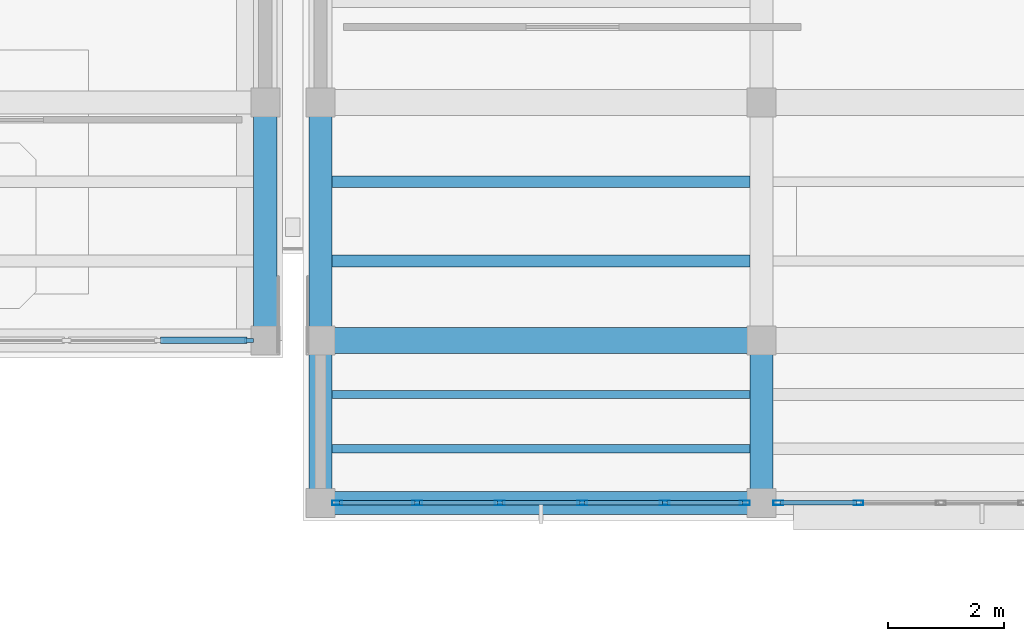
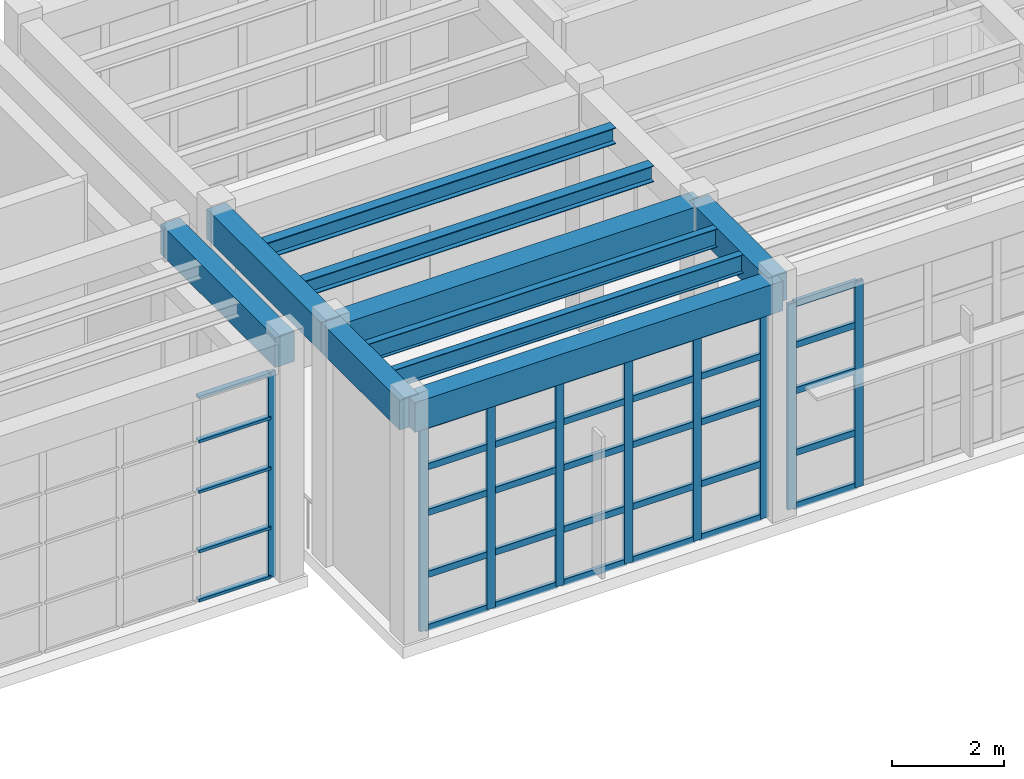
# One storey, part 21 of 103: 44 members, 10 beams, 3 elements without a shape of their own.
"""IFC4 building model written with IfcOpenShell, lengths in metres."""

from ifc_helpers import new_model, si_unit, direction, frame, origin, origin_2d, place, context, subcontext, project, spatial, rectangle, hollow_rectangle, i_section, extrude, material, layer, layer_set, material_profile, profile_set, type_object, element, aggregate, save


model = new_model("IFC4")

# Units and contexts
model_context = context("Model", 3, precision=1e-05, world=origin(), true_north=direction((0.0, 1.0)))
body_context = subcontext(model_context, "Body", "Model", "MODEL_VIEW")
ifc_project = project(units=[si_unit("LENGTHUNIT", "METRE"), si_unit("AREAUNIT", "SQUARE_METRE"), si_unit("VOLUMEUNIT", "CUBIC_METRE"), si_unit("PLANEANGLEUNIT", "RADIAN"), si_unit("MASSUNIT", "GRAM", prefix="KILO")], contexts=[model_context])

# Site, building, storey
site_placement = place(None, origin())
site = spatial("IfcSite", under=ifc_project, at=site_placement, CompositionType="ELEMENT")
building_placement = place(site_placement, origin())
building = spatial("IfcBuilding", under=site, at=building_placement, Name="Candilejo Ridge Gondola Terminal", CompositionType="ELEMENT")
storey_placement = place(building_placement, frame((0.0, 0.0, 9.0)))
storey = spatial("IfcBuildingStorey", under=building, at=storey_placement, Name="L02", CompositionType="ELEMENT", Elevation=9.0)

# Curtain wall, members
ifc_material_1 = material(Name="Anodised aluminium AA 6063-T6", Category="aluminium")
ifc_layer_1 = layer(ifc_material_1, 0.169921875)
ifc_layer_set_1 = layer_set([ifc_layer_1], Name="ARC-CW-CONCOURSE-3600-710X449")
curtain_wall_type_1 = type_object("IfcCurtainWallType", Name="ARC-CW-CONCOURSE-3600-710X449", PredefinedType="NOTDEFINED", material=ifc_layer_set_1)
curtain_wall_1_placement = place(storey_placement, origin())
curtain_wall_1 = element("IfcCurtainWall", 1, at=curtain_wall_1_placement, inside=storey, type_object=curtain_wall_type_1, Name="Curtain wall V3 L02-083", PredefinedType="NOTDEFINED")
ifc_material_2 = material(Name="Anodised aluminium AA 6063-T6", Category="aluminium")
ifc_material_profile_1 = material_profile(ifc_material_2, hollow_rectangle(XDim=0.074951171875, YDim=0.169921875, WallThickness=0.00390625, at=origin_2d()))
ifc_profile_set_1 = profile_set([ifc_material_profile_1], Name="Anodised aluminium AA 6063-T6")
member_type_1 = type_object("IfcMemberType", Name="ARC-CW-MULLION", PredefinedType="MULLION", material=ifc_profile_set_1)
member_1_placement = place(storey_placement, frame((87.28759765625, 22.89990234375, 0.0), z_axis=(0.0, 0.0, 1.0), x_axis=(0.0, 1.0, 0.0)))
member_1 = element("IfcMember", 2, at=member_1_placement, type_object=member_type_1, Name="CW-71X44 mullion 1", PredefinedType="MULLION", context=body_context, shape_type="SweptSolid", body=[
    extrude(hollow_rectangle(XDim=0.074951171875, YDim=0.169921875, WallThickness=0.00390625, at=origin_2d()), origin(), (0.0, 0.0, 1.0), 4.489990234375),
])
member_2_placement = place(storey_placement, frame((88.669921875, 22.89990234375, 0.0), z_axis=(0.0, 0.0, 1.0), x_axis=(0.0, 1.0, 0.0)))
member_2 = element("IfcMember", 3, at=member_2_placement, type_object=member_type_1, Name="CW-71X44 mullion 2", PredefinedType="MULLION", context=body_context, shape_type="SweptSolid", body=[
    extrude(hollow_rectangle(XDim=0.074951171875, YDim=0.169921875, WallThickness=0.00390625, at=origin_2d()), origin(), (0.0, 0.0, 1.0), 4.489990234375),
])
member_3_placement = place(storey_placement, frame((90.090087890625, 22.89990234375, 0.0), z_axis=(0.0, 0.0, 1.0), x_axis=(0.0, 1.0, 0.0)))
member_3 = element("IfcMember", 4, at=member_3_placement, type_object=member_type_1, Name="CW-71X44 mullion 3", PredefinedType="MULLION", context=body_context, shape_type="SweptSolid", body=[
    extrude(hollow_rectangle(XDim=0.074951171875, YDim=0.169921875, WallThickness=0.00390625, at=origin_2d()), origin(), (0.0, 0.0, 1.0), 4.489990234375),
])
member_4_placement = place(storey_placement, frame((91.510009765625, 22.89990234375, 0.0), z_axis=(0.0, 0.0, 1.0), x_axis=(0.0, 1.0, 0.0)))
member_4 = element("IfcMember", 5, at=member_4_placement, type_object=member_type_1, Name="CW-71X44 mullion 4", PredefinedType="MULLION", context=body_context, shape_type="SweptSolid", body=[
    extrude(hollow_rectangle(XDim=0.074951171875, YDim=0.169921875, WallThickness=0.00390625, at=origin_2d()), origin(), (0.0, 0.0, 1.0), 4.489990234375),
])
member_5_placement = place(storey_placement, frame((92.929931640625, 22.89990234375, 0.0), z_axis=(0.0, 0.0, 1.0), x_axis=(0.0, 1.0, 0.0)))
member_5 = element("IfcMember", 6, at=member_5_placement, type_object=member_type_1, Name="CW-71X44 mullion 5", PredefinedType="MULLION", context=body_context, shape_type="SweptSolid", body=[
    extrude(hollow_rectangle(XDim=0.074951171875, YDim=0.169921875, WallThickness=0.00390625, at=origin_2d()), origin(), (0.0, 0.0, 1.0), 4.489990234375),
])
member_6_placement = place(storey_placement, frame((94.3125, 22.89990234375, 0.0), z_axis=(0.0, 0.0, 1.0), x_axis=(0.0, 1.0, 0.0)))
member_6 = element("IfcMember", 7, at=member_6_placement, type_object=member_type_1, Name="CW-71X44 mullion 6", PredefinedType="MULLION", context=body_context, shape_type="SweptSolid", body=[
    extrude(hollow_rectangle(XDim=0.074951171875, YDim=0.169921875, WallThickness=0.00390625, at=origin_2d()), origin(), (0.0, 0.0, 1.0), 4.489990234375),
])

curtain_wall_2_placement = place(storey_placement, origin())
curtain_wall_2 = element("IfcCurtainWall", 8, at=curtain_wall_2_placement, inside=storey, type_object=curtain_wall_type_1, Name="Curtain wall V3 L02-085", PredefinedType="NOTDEFINED")
member_7_placement = place(storey_placement, frame((94.887451171875, 22.89990234375, 0.0), z_axis=(0.0, 0.0, 1.0), x_axis=(0.0, 1.0, 0.0)))
member_7 = element("IfcMember", 9, at=member_7_placement, type_object=member_type_1, Name="CW-71X44 mullion 1", PredefinedType="MULLION", context=body_context, shape_type="SweptSolid", body=[
    extrude(hollow_rectangle(XDim=0.074951171875, YDim=0.169921875, WallThickness=0.00390625, at=origin_2d()), origin(), (0.0, 0.0, 1.0), 4.489990234375),
])
member_8_placement = place(storey_placement, frame((96.27001953125, 22.89990234375, 0.0), z_axis=(0.0, 0.0, 1.0), x_axis=(0.0, 1.0, 0.0)))
member_8 = element("IfcMember", 10, at=member_8_placement, type_object=member_type_1, Name="CW-71X44 mullion 2", PredefinedType="MULLION", context=body_context, shape_type="SweptSolid", body=[
    extrude(hollow_rectangle(XDim=0.074951171875, YDim=0.169921875, WallThickness=0.00390625, at=origin_2d()), origin(), (0.0, 0.0, 1.0), 4.489990234375),
])

# Curtain wall, member
ifc_material_3 = material(Name="Anodised aluminium AA 6063-T6", Category="aluminium")
ifc_layer_2 = layer(ifc_material_3, 0.169921875)
ifc_layer_set_2 = layer_set([ifc_layer_2], Name="ARC-CW-DRUM-3400-635X449")
curtain_wall_type_2 = type_object("IfcCurtainWallType", Name="ARC-CW-DRUM-3400-635X449", PredefinedType="NOTDEFINED", material=ifc_layer_set_2)
curtain_wall_3_placement = place(storey_placement, origin())
curtain_wall_3 = element("IfcCurtainWall", 11, at=curtain_wall_3_placement, inside=storey, type_object=curtain_wall_type_2, Name="Curtain wall V2 L02-057", PredefinedType="NOTDEFINED")
ifc_material_4 = material(Name="Anodised aluminium AA 6063-T6", Category="aluminium")
ifc_material_profile_2 = material_profile(ifc_material_4, rectangle(XDim=0.06494140625, YDim=0.14990234375, at=origin_2d()))
ifc_profile_set_2 = profile_set([ifc_material_profile_2], Name="Anodised aluminium AA 6063-T6")
member_type_2 = type_object("IfcMemberType", Name="ARC-CW-MULLION-150", PredefinedType="MULLION", material=ifc_profile_set_2)
member_9_placement = place(storey_placement, frame((85.767578125, 25.699951171875, 0.0), z_axis=(0.0, 0.0, 1.0), x_axis=(0.0, 1.0, 0.0)))
member_9 = element("IfcMember", 12, at=member_9_placement, type_object=member_type_2, Name="CW-63X44 mullion 5", PredefinedType="MULLION", context=body_context, shape_type="SweptSolid", body=[
    extrude(rectangle(XDim=0.06494140625, YDim=0.14990234375, at=origin_2d()), origin(), (0.0, 0.0, 1.0), 4.489990234375),
])

# Member
ifc_material_5 = material(Name="Anodised aluminium AA 6063-T6", Category="aluminium")
ifc_material_profile_3 = material_profile(ifc_material_5, hollow_rectangle(XDim=0.074951171875, YDim=0.139892578125, WallThickness=0.00390625, at=origin_2d()))
ifc_profile_set_3 = profile_set([ifc_material_profile_3], Name="Anodised aluminium AA 6063-T6")
member_type_3 = type_object("IfcMemberType", Name="ARC-CW-TRANSOM", PredefinedType="USERDEFINED", material=ifc_profile_set_3)
member_10_placement = place(storey_placement, frame((87.324951171875, 22.89990234375, 0.03759765625), z_axis=(1.0, 0.0, 0.0), x_axis=(0.0, 1.0, 0.0)))
member_10 = element("IfcMember", 13, at=member_10_placement, type_object=member_type_3, Name="CW-71X44 transom 1.1", ObjectType="TRANSOM", PredefinedType="USERDEFINED", context=body_context, shape_type="SweptSolid", body=[
    extrude(hollow_rectangle(XDim=0.074951171875, YDim=0.139892578125, WallThickness=0.00390625, at=origin_2d()), origin(), (0.0, 0.0, 1.0), 1.3076171875),
])

member_11_placement = place(storey_placement, frame((87.324951171875, 22.89990234375, 1.199951171875), z_axis=(1.0, 0.0, 0.0), x_axis=(0.0, 1.0, 0.0)))
member_11 = element("IfcMember", 14, at=member_11_placement, type_object=member_type_3, Name="CW-71X44 transom 1.2", ObjectType="TRANSOM", PredefinedType="USERDEFINED", context=body_context, shape_type="SweptSolid", body=[
    extrude(hollow_rectangle(XDim=0.074951171875, YDim=0.139892578125, WallThickness=0.00390625, at=origin_2d()), origin(), (0.0, 0.0, 1.0), 1.3076171875),
])

member_12_placement = place(storey_placement, frame((87.324951171875, 22.89990234375, 2.550048828125), z_axis=(1.0, 0.0, 0.0), x_axis=(0.0, 1.0, 0.0)))
member_12 = element("IfcMember", 15, at=member_12_placement, type_object=member_type_3, Name="CW-71X44 transom 1.3", ObjectType="TRANSOM", PredefinedType="USERDEFINED", context=body_context, shape_type="SweptSolid", body=[
    extrude(hollow_rectangle(XDim=0.074951171875, YDim=0.139892578125, WallThickness=0.00390625, at=origin_2d()), origin(), (0.0, 0.0, 1.0), 1.3076171875),
])

member_13_placement = place(storey_placement, frame((87.324951171875, 22.89990234375, 3.550048828125), z_axis=(1.0, 0.0, 0.0), x_axis=(0.0, 1.0, 0.0)))
member_13 = element("IfcMember", 16, at=member_13_placement, type_object=member_type_3, Name="CW-71X44 transom 1.4", ObjectType="TRANSOM", PredefinedType="USERDEFINED", context=body_context, shape_type="SweptSolid", body=[
    extrude(hollow_rectangle(XDim=0.074951171875, YDim=0.139892578125, WallThickness=0.00390625, at=origin_2d()), origin(), (0.0, 0.0, 1.0), 1.3076171875),
])

member_14_placement = place(storey_placement, frame((87.324951171875, 22.89990234375, 4.452392578125), z_axis=(1.0, 0.0, 0.0), x_axis=(0.0, 1.0, 0.0)))
member_14 = element("IfcMember", 17, at=member_14_placement, type_object=member_type_3, Name="CW-71X44 transom 1.5", ObjectType="TRANSOM", PredefinedType="USERDEFINED", context=body_context, shape_type="SweptSolid", body=[
    extrude(hollow_rectangle(XDim=0.074951171875, YDim=0.139892578125, WallThickness=0.00390625, at=origin_2d()), origin(), (0.0, 0.0, 1.0), 1.3076171875),
])

member_15_placement = place(storey_placement, frame((88.70751953125, 22.89990234375, 0.03759765625), z_axis=(1.0, 0.0, 0.0), x_axis=(0.0, 1.0, 0.0)))
member_15 = element("IfcMember", 18, at=member_15_placement, type_object=member_type_3, Name="CW-71X44 transom 2.1", ObjectType="TRANSOM", PredefinedType="USERDEFINED", context=body_context, shape_type="SweptSolid", body=[
    extrude(hollow_rectangle(XDim=0.074951171875, YDim=0.139892578125, WallThickness=0.00390625, at=origin_2d()), origin(), (0.0, 0.0, 1.0), 1.344970703125),
])

member_16_placement = place(storey_placement, frame((88.70751953125, 22.89990234375, 1.199951171875), z_axis=(1.0, 0.0, 0.0), x_axis=(0.0, 1.0, 0.0)))
member_16 = element("IfcMember", 19, at=member_16_placement, type_object=member_type_3, Name="CW-71X44 transom 2.2", ObjectType="TRANSOM", PredefinedType="USERDEFINED", context=body_context, shape_type="SweptSolid", body=[
    extrude(hollow_rectangle(XDim=0.074951171875, YDim=0.139892578125, WallThickness=0.00390625, at=origin_2d()), origin(), (0.0, 0.0, 1.0), 1.344970703125),
])

member_17_placement = place(storey_placement, frame((88.70751953125, 22.89990234375, 2.550048828125), z_axis=(1.0, 0.0, 0.0), x_axis=(0.0, 1.0, 0.0)))
member_17 = element("IfcMember", 20, at=member_17_placement, type_object=member_type_3, Name="CW-71X44 transom 2.3", ObjectType="TRANSOM", PredefinedType="USERDEFINED", context=body_context, shape_type="SweptSolid", body=[
    extrude(hollow_rectangle(XDim=0.074951171875, YDim=0.139892578125, WallThickness=0.00390625, at=origin_2d()), origin(), (0.0, 0.0, 1.0), 1.344970703125),
])

member_18_placement = place(storey_placement, frame((88.70751953125, 22.89990234375, 3.550048828125), z_axis=(1.0, 0.0, 0.0), x_axis=(0.0, 1.0, 0.0)))
member_18 = element("IfcMember", 21, at=member_18_placement, type_object=member_type_3, Name="CW-71X44 transom 2.4", ObjectType="TRANSOM", PredefinedType="USERDEFINED", context=body_context, shape_type="SweptSolid", body=[
    extrude(hollow_rectangle(XDim=0.074951171875, YDim=0.139892578125, WallThickness=0.00390625, at=origin_2d()), origin(), (0.0, 0.0, 1.0), 1.344970703125),
])

member_19_placement = place(storey_placement, frame((88.70751953125, 22.89990234375, 4.452392578125), z_axis=(1.0, 0.0, 0.0), x_axis=(0.0, 1.0, 0.0)))
member_19 = element("IfcMember", 22, at=member_19_placement, type_object=member_type_3, Name="CW-71X44 transom 2.5", ObjectType="TRANSOM", PredefinedType="USERDEFINED", context=body_context, shape_type="SweptSolid", body=[
    extrude(hollow_rectangle(XDim=0.074951171875, YDim=0.139892578125, WallThickness=0.00390625, at=origin_2d()), origin(), (0.0, 0.0, 1.0), 1.344970703125),
])

member_20_placement = place(storey_placement, frame((90.12744140625, 22.89990234375, 0.03759765625), z_axis=(1.0, 0.0, 0.0), x_axis=(0.0, 1.0, 0.0)))
member_20 = element("IfcMember", 23, at=member_20_placement, type_object=member_type_3, Name="CW-71X44 transom 3.1", ObjectType="TRANSOM", PredefinedType="USERDEFINED", context=body_context, shape_type="SweptSolid", body=[
    extrude(hollow_rectangle(XDim=0.074951171875, YDim=0.139892578125, WallThickness=0.00390625, at=origin_2d()), origin(), (0.0, 0.0, 1.0), 1.344970703125),
])

member_21_placement = place(storey_placement, frame((90.12744140625, 22.89990234375, 1.199951171875), z_axis=(1.0, 0.0, 0.0), x_axis=(0.0, 1.0, 0.0)))
member_21 = element("IfcMember", 24, at=member_21_placement, type_object=member_type_3, Name="CW-71X44 transom 3.2", ObjectType="TRANSOM", PredefinedType="USERDEFINED", context=body_context, shape_type="SweptSolid", body=[
    extrude(hollow_rectangle(XDim=0.074951171875, YDim=0.139892578125, WallThickness=0.00390625, at=origin_2d()), origin(), (0.0, 0.0, 1.0), 1.344970703125),
])

member_22_placement = place(storey_placement, frame((90.12744140625, 22.89990234375, 2.550048828125), z_axis=(1.0, 0.0, 0.0), x_axis=(0.0, 1.0, 0.0)))
member_22 = element("IfcMember", 25, at=member_22_placement, type_object=member_type_3, Name="CW-71X44 transom 3.3", ObjectType="TRANSOM", PredefinedType="USERDEFINED", context=body_context, shape_type="SweptSolid", body=[
    extrude(hollow_rectangle(XDim=0.074951171875, YDim=0.139892578125, WallThickness=0.00390625, at=origin_2d()), origin(), (0.0, 0.0, 1.0), 1.344970703125),
])

member_23_placement = place(storey_placement, frame((90.12744140625, 22.89990234375, 3.550048828125), z_axis=(1.0, 0.0, 0.0), x_axis=(0.0, 1.0, 0.0)))
member_23 = element("IfcMember", 26, at=member_23_placement, type_object=member_type_3, Name="CW-71X44 transom 3.4", ObjectType="TRANSOM", PredefinedType="USERDEFINED", context=body_context, shape_type="SweptSolid", body=[
    extrude(hollow_rectangle(XDim=0.074951171875, YDim=0.139892578125, WallThickness=0.00390625, at=origin_2d()), origin(), (0.0, 0.0, 1.0), 1.344970703125),
])

member_24_placement = place(storey_placement, frame((90.12744140625, 22.89990234375, 4.452392578125), z_axis=(1.0, 0.0, 0.0), x_axis=(0.0, 1.0, 0.0)))
member_24 = element("IfcMember", 27, at=member_24_placement, type_object=member_type_3, Name="CW-71X44 transom 3.5", ObjectType="TRANSOM", PredefinedType="USERDEFINED", context=body_context, shape_type="SweptSolid", body=[
    extrude(hollow_rectangle(XDim=0.074951171875, YDim=0.139892578125, WallThickness=0.00390625, at=origin_2d()), origin(), (0.0, 0.0, 1.0), 1.344970703125),
])

member_25_placement = place(storey_placement, frame((91.547607421875, 22.89990234375, 0.03759765625), z_axis=(1.0, 0.0, 0.0), x_axis=(0.0, 1.0, 0.0)))
member_25 = element("IfcMember", 28, at=member_25_placement, type_object=member_type_3, Name="CW-71X44 transom 4.1", ObjectType="TRANSOM", PredefinedType="USERDEFINED", context=body_context, shape_type="SweptSolid", body=[
    extrude(hollow_rectangle(XDim=0.074951171875, YDim=0.139892578125, WallThickness=0.00390625, at=origin_2d()), origin(), (0.0, 0.0, 1.0), 1.344970703125),
])

member_26_placement = place(storey_placement, frame((91.547607421875, 22.89990234375, 1.199951171875), z_axis=(1.0, 0.0, 0.0), x_axis=(0.0, 1.0, 0.0)))
member_26 = element("IfcMember", 29, at=member_26_placement, type_object=member_type_3, Name="CW-71X44 transom 4.2", ObjectType="TRANSOM", PredefinedType="USERDEFINED", context=body_context, shape_type="SweptSolid", body=[
    extrude(hollow_rectangle(XDim=0.074951171875, YDim=0.139892578125, WallThickness=0.00390625, at=origin_2d()), origin(), (0.0, 0.0, 1.0), 1.344970703125),
])

member_27_placement = place(storey_placement, frame((91.547607421875, 22.89990234375, 2.550048828125), z_axis=(1.0, 0.0, 0.0), x_axis=(0.0, 1.0, 0.0)))
member_27 = element("IfcMember", 30, at=member_27_placement, type_object=member_type_3, Name="CW-71X44 transom 4.3", ObjectType="TRANSOM", PredefinedType="USERDEFINED", context=body_context, shape_type="SweptSolid", body=[
    extrude(hollow_rectangle(XDim=0.074951171875, YDim=0.139892578125, WallThickness=0.00390625, at=origin_2d()), origin(), (0.0, 0.0, 1.0), 1.344970703125),
])

member_28_placement = place(storey_placement, frame((91.547607421875, 22.89990234375, 3.550048828125), z_axis=(1.0, 0.0, 0.0), x_axis=(0.0, 1.0, 0.0)))
member_28 = element("IfcMember", 31, at=member_28_placement, type_object=member_type_3, Name="CW-71X44 transom 4.4", ObjectType="TRANSOM", PredefinedType="USERDEFINED", context=body_context, shape_type="SweptSolid", body=[
    extrude(hollow_rectangle(XDim=0.074951171875, YDim=0.139892578125, WallThickness=0.00390625, at=origin_2d()), origin(), (0.0, 0.0, 1.0), 1.344970703125),
])

member_29_placement = place(storey_placement, frame((91.547607421875, 22.89990234375, 4.452392578125), z_axis=(1.0, 0.0, 0.0), x_axis=(0.0, 1.0, 0.0)))
member_29 = element("IfcMember", 32, at=member_29_placement, type_object=member_type_3, Name="CW-71X44 transom 4.5", ObjectType="TRANSOM", PredefinedType="USERDEFINED", context=body_context, shape_type="SweptSolid", body=[
    extrude(hollow_rectangle(XDim=0.074951171875, YDim=0.139892578125, WallThickness=0.00390625, at=origin_2d()), origin(), (0.0, 0.0, 1.0), 1.344970703125),
])

member_30_placement = place(storey_placement, frame((92.967529296875, 22.89990234375, 0.03759765625), z_axis=(1.0, 0.0, 0.0), x_axis=(0.0, 1.0, 0.0)))
member_30 = element("IfcMember", 33, at=member_30_placement, type_object=member_type_3, Name="CW-71X44 transom 5.1", ObjectType="TRANSOM", PredefinedType="USERDEFINED", context=body_context, shape_type="SweptSolid", body=[
    extrude(hollow_rectangle(XDim=0.074951171875, YDim=0.139892578125, WallThickness=0.00390625, at=origin_2d()), origin(), (0.0, 0.0, 1.0), 1.307373046875),
])

member_31_placement = place(storey_placement, frame((92.967529296875, 22.89990234375, 1.199951171875), z_axis=(1.0, 0.0, 0.0), x_axis=(0.0, 1.0, 0.0)))
member_31 = element("IfcMember", 34, at=member_31_placement, type_object=member_type_3, Name="CW-71X44 transom 5.2", ObjectType="TRANSOM", PredefinedType="USERDEFINED", context=body_context, shape_type="SweptSolid", body=[
    extrude(hollow_rectangle(XDim=0.074951171875, YDim=0.139892578125, WallThickness=0.00390625, at=origin_2d()), origin(), (0.0, 0.0, 1.0), 1.307373046875),
])

member_32_placement = place(storey_placement, frame((92.967529296875, 22.89990234375, 2.550048828125), z_axis=(1.0, 0.0, 0.0), x_axis=(0.0, 1.0, 0.0)))
member_32 = element("IfcMember", 35, at=member_32_placement, type_object=member_type_3, Name="CW-71X44 transom 5.3", ObjectType="TRANSOM", PredefinedType="USERDEFINED", context=body_context, shape_type="SweptSolid", body=[
    extrude(hollow_rectangle(XDim=0.074951171875, YDim=0.139892578125, WallThickness=0.00390625, at=origin_2d()), origin(), (0.0, 0.0, 1.0), 1.307373046875),
])

member_33_placement = place(storey_placement, frame((92.967529296875, 22.89990234375, 3.550048828125), z_axis=(1.0, 0.0, 0.0), x_axis=(0.0, 1.0, 0.0)))
member_33 = element("IfcMember", 36, at=member_33_placement, type_object=member_type_3, Name="CW-71X44 transom 5.4", ObjectType="TRANSOM", PredefinedType="USERDEFINED", context=body_context, shape_type="SweptSolid", body=[
    extrude(hollow_rectangle(XDim=0.074951171875, YDim=0.139892578125, WallThickness=0.00390625, at=origin_2d()), origin(), (0.0, 0.0, 1.0), 1.307373046875),
])

member_34_placement = place(storey_placement, frame((92.967529296875, 22.89990234375, 4.452392578125), z_axis=(1.0, 0.0, 0.0), x_axis=(0.0, 1.0, 0.0)))
member_34 = element("IfcMember", 37, at=member_34_placement, type_object=member_type_3, Name="CW-71X44 transom 5.5", ObjectType="TRANSOM", PredefinedType="USERDEFINED", context=body_context, shape_type="SweptSolid", body=[
    extrude(hollow_rectangle(XDim=0.074951171875, YDim=0.139892578125, WallThickness=0.00390625, at=origin_2d()), origin(), (0.0, 0.0, 1.0), 1.307373046875),
])

aggregate(curtain_wall_1, [member_1, member_2, member_3, member_4, member_5, member_6, member_10, member_11, member_12, member_13, member_14, member_15, member_16, member_17, member_18, member_19, member_20, member_21, member_22, member_23, member_24, member_25, member_26, member_27, member_28, member_29, member_30, member_31, member_32, member_33, member_34])

member_35_placement = place(storey_placement, frame((94.925048828125, 22.89990234375, 0.03759765625), z_axis=(1.0, 0.0, 0.0), x_axis=(0.0, 1.0, 0.0)))
member_35 = element("IfcMember", 38, at=member_35_placement, type_object=member_type_3, Name="CW-71X44 transom 1.1", ObjectType="TRANSOM", PredefinedType="USERDEFINED", context=body_context, shape_type="SweptSolid", body=[
    extrude(hollow_rectangle(XDim=0.074951171875, YDim=0.139892578125, WallThickness=0.00390625, at=origin_2d()), origin(), (0.0, 0.0, 1.0), 1.307373046875),
])

member_36_placement = place(storey_placement, frame((94.925048828125, 22.89990234375, 1.199951171875), z_axis=(1.0, 0.0, 0.0), x_axis=(0.0, 1.0, 0.0)))
member_36 = element("IfcMember", 39, at=member_36_placement, type_object=member_type_3, Name="CW-71X44 transom 1.2", ObjectType="TRANSOM", PredefinedType="USERDEFINED", context=body_context, shape_type="SweptSolid", body=[
    extrude(hollow_rectangle(XDim=0.074951171875, YDim=0.139892578125, WallThickness=0.00390625, at=origin_2d()), origin(), (0.0, 0.0, 1.0), 1.307373046875),
])

member_37_placement = place(storey_placement, frame((94.925048828125, 22.89990234375, 2.550048828125), z_axis=(1.0, 0.0, 0.0), x_axis=(0.0, 1.0, 0.0)))
member_37 = element("IfcMember", 40, at=member_37_placement, type_object=member_type_3, Name="CW-71X44 transom 1.3", ObjectType="TRANSOM", PredefinedType="USERDEFINED", context=body_context, shape_type="SweptSolid", body=[
    extrude(hollow_rectangle(XDim=0.074951171875, YDim=0.139892578125, WallThickness=0.00390625, at=origin_2d()), origin(), (0.0, 0.0, 1.0), 1.307373046875),
])

member_38_placement = place(storey_placement, frame((94.925048828125, 22.89990234375, 3.550048828125), z_axis=(1.0, 0.0, 0.0), x_axis=(0.0, 1.0, 0.0)))
member_38 = element("IfcMember", 41, at=member_38_placement, type_object=member_type_3, Name="CW-71X44 transom 1.4", ObjectType="TRANSOM", PredefinedType="USERDEFINED", context=body_context, shape_type="SweptSolid", body=[
    extrude(hollow_rectangle(XDim=0.074951171875, YDim=0.139892578125, WallThickness=0.00390625, at=origin_2d()), origin(), (0.0, 0.0, 1.0), 1.307373046875),
])

member_39_placement = place(storey_placement, frame((94.925048828125, 22.89990234375, 4.452392578125), z_axis=(1.0, 0.0, 0.0), x_axis=(0.0, 1.0, 0.0)))
member_39 = element("IfcMember", 42, at=member_39_placement, type_object=member_type_3, Name="CW-71X44 transom 1.5", ObjectType="TRANSOM", PredefinedType="USERDEFINED", context=body_context, shape_type="SweptSolid", body=[
    extrude(hollow_rectangle(XDim=0.074951171875, YDim=0.139892578125, WallThickness=0.00390625, at=origin_2d()), origin(), (0.0, 0.0, 1.0), 1.307373046875),
])

aggregate(curtain_wall_2, [member_7, member_8, member_35, member_36, member_37, member_38, member_39])

ifc_material_6 = material(Name="Anodised aluminium AA 6063-T6", Category="aluminium")
ifc_material_profile_4 = material_profile(ifc_material_6, rectangle(XDim=0.110107421875, YDim=0.06005859375, at=origin_2d()))
ifc_profile_set_4 = profile_set([ifc_material_profile_4], Name="Anodised aluminium AA 6063-T6")
member_type_4 = type_object("IfcMemberType", Name="ARC-CW-TRANSOM-110", PredefinedType="USERDEFINED", material=ifc_profile_set_4)
member_40_placement = place(storey_placement, frame((84.2451171875, 25.699951171875, 0.030029296875), z_axis=(1.0, 0.0, 0.0), x_axis=(0.0, 1.0, 0.0)))
member_40 = element("IfcMember", 43, at=member_40_placement, type_object=member_type_4, Name="CW-63X44 transom 4.1", ObjectType="TRANSOM", PredefinedType="USERDEFINED", context=body_context, shape_type="SweptSolid", body=[
    extrude(rectangle(XDim=0.110107421875, YDim=0.06005859375, at=origin_2d()), origin(), (0.0, 0.0, 1.0), 1.489990234375),
])

member_41_placement = place(storey_placement, frame((84.2451171875, 25.699951171875, 1.10009765625), z_axis=(1.0, 0.0, 0.0), x_axis=(0.0, 1.0, 0.0)))
member_41 = element("IfcMember", 44, at=member_41_placement, type_object=member_type_4, Name="CW-63X44 transom 4.2", ObjectType="TRANSOM", PredefinedType="USERDEFINED", context=body_context, shape_type="SweptSolid", body=[
    extrude(rectangle(XDim=0.110107421875, YDim=0.06005859375, at=origin_2d()), origin(), (0.0, 0.0, 1.0), 1.489990234375),
])

member_42_placement = place(storey_placement, frame((84.2451171875, 25.699951171875, 2.39990234375), z_axis=(1.0, 0.0, 0.0), x_axis=(0.0, 1.0, 0.0)))
member_42 = element("IfcMember", 45, at=member_42_placement, type_object=member_type_4, Name="CW-63X44 transom 4.3", ObjectType="TRANSOM", PredefinedType="USERDEFINED", context=body_context, shape_type="SweptSolid", body=[
    extrude(rectangle(XDim=0.110107421875, YDim=0.06005859375, at=origin_2d()), origin(), (0.0, 0.0, 1.0), 1.489990234375),
])

member_43_placement = place(storey_placement, frame((84.2451171875, 25.699951171875, 3.5), z_axis=(1.0, 0.0, 0.0), x_axis=(0.0, 1.0, 0.0)))
member_43 = element("IfcMember", 46, at=member_43_placement, type_object=member_type_4, Name="CW-63X44 transom 4.4", ObjectType="TRANSOM", PredefinedType="USERDEFINED", context=body_context, shape_type="SweptSolid", body=[
    extrude(rectangle(XDim=0.110107421875, YDim=0.06005859375, at=origin_2d()), origin(), (0.0, 0.0, 1.0), 1.489990234375),
])

member_44_placement = place(storey_placement, frame((84.2451171875, 25.699951171875, 4.4599609375), z_axis=(1.0, 0.0, 0.0), x_axis=(0.0, 1.0, 0.0)))
member_44 = element("IfcMember", 47, at=member_44_placement, type_object=member_type_4, Name="CW-63X44 transom 4.5", ObjectType="TRANSOM", PredefinedType="USERDEFINED", context=body_context, shape_type="SweptSolid", body=[
    extrude(rectangle(XDim=0.110107421875, YDim=0.06005859375, at=origin_2d()), origin(), (0.0, 0.0, 1.0), 1.489990234375),
])

aggregate(curtain_wall_3, [member_9, member_40, member_41, member_42, member_43, member_44])

# Beams
ifc_material_7 = material(Name="Concrete f'c 35 MPa (C35/45)", Category="concrete")
ifc_material_profile_5 = material_profile(ifc_material_7, rectangle(XDim=0.39990234375, YDim=0.60009765625, at=origin_2d()))
ifc_profile_set_5 = profile_set([ifc_material_profile_5], Name="Concrete f'c 35 MPa (C35/45)")
beam_type_1 = type_object("IfcBeamType", Name="STR-BM-RC400X600", PredefinedType="BEAM", material=ifc_profile_set_5)
beam_1_placement = place(storey_placement, frame((94.60009765625, 22.89990234375, 4.875), z_axis=(0.0, 1.0, 0.0), x_axis=(-1.0, 0.0, 0.0)))
element("IfcBeam", 48, at=beam_1_placement, inside=storey, type_object=beam_type_1, Name="Beam Y V3 L02 Y04-Y05@X15", PredefinedType="BEAM", context=body_context, shape_type="SweptSolid", body=[
    extrude(rectangle(XDim=0.39990234375, YDim=0.60009765625, at=origin_2d()), origin(), (0.0, 0.0, 1.0), 2.800048828125),
])
ifc_material_8 = material(Name="Concrete f'c 35 MPa (C35/45)", Category="concrete")
ifc_material_profile_6 = material_profile(ifc_material_8, rectangle(XDim=0.449951171875, YDim=0.75, at=origin_2d()))
ifc_profile_set_6 = profile_set([ifc_material_profile_6], Name="Concrete f'c 35 MPa (C35/45)")
beam_type_2 = type_object("IfcBeamType", Name="STR-BM-RC450X750", PredefinedType="BEAM", material=ifc_profile_set_6)
beam_2_placement = place(storey_placement, frame((87.0, 25.699951171875, 4.800048828125), z_axis=(1.0, 0.0, 0.0), x_axis=(0.0, 1.0, 0.0)))
element("IfcBeam", 49, at=beam_2_placement, inside=storey, type_object=beam_type_2, Name="Beam X V3 L02 X14-X15@Y05", PredefinedType="BEAM", context=body_context, shape_type="SweptSolid", body=[
    extrude(rectangle(XDim=0.449951171875, YDim=0.75, at=origin_2d()), origin(), (0.0, 0.0, 1.0), 7.60009765625),
])
ifc_material_9 = material(Name="Steel ASTM A992 Grade 50", Category="steel")
ifc_material_profile_7 = material_profile(ifc_material_9, i_section(OverallWidth=0.205078125, OverallDepth=0.35400390625, WebThickness=0.009521484375, FlangeThickness=0.016845703125, at=origin_2d()))
ifc_profile_set_7 = profile_set([ifc_material_profile_7], Name="Steel ASTM A992 Grade 50")
beam_type_3 = type_object("IfcBeamType", Name="STR-JST-W360X79", PredefinedType="JOIST", material=ifc_profile_set_7)
for number, where, z_axis, x_axis, name in (
    (50, (87.199951171875, 27.066650390625, 4.998046875), (1.0, 0.0, 0.0), (0.0, 1.0, 0.0), "Composite joist V3 L02-0554"),
    (51, (87.199951171875, 28.433349609375, 4.998046875), (1.0, 0.0, 0.0), (0.0, 1.0, 0.0), "Composite joist V3 L02-0555"),
):
    element("IfcBeam", number, at=place(storey_placement, frame(where, z_axis=z_axis, x_axis=x_axis)), inside=storey, type_object=beam_type_3, Name=name, PredefinedType="JOIST", context=body_context, shape_type="SweptSolid", body=[
        extrude(i_section(OverallWidth=0.205078125, OverallDepth=0.35400390625, WebThickness=0.009521484375, FlangeThickness=0.016845703125, at=origin_2d()), origin(), (0.0, 0.0, 1.0), 7.199951171875),
    ])
ifc_material_10 = material(Name="Steel ASTM A992 Grade 50", Category="steel")
ifc_material_profile_8 = material_profile(ifc_material_10, i_section(OverallWidth=0.139892578125, OverallDepth=0.403076171875, WebThickness=0.007080078125, FlangeThickness=0.01123046875, at=origin_2d()))
ifc_profile_set_8 = profile_set([ifc_material_profile_8], Name="Steel ASTM A992 Grade 50")
beam_type_4 = type_object("IfcBeamType", Name="STR-JST-W410X46", PredefinedType="JOIST", material=ifc_profile_set_8)
for number, where, z_axis, x_axis, name in (
    (52, (87.199951171875, 23.833251953125, 4.973388671875), (1.0, 0.0, 0.0), (0.0, 1.0, 0.0), "Composite joist V3 L02-0552"),
    (53, (87.199951171875, 24.7666015625, 4.973388671875), (1.0, 0.0, 0.0), (0.0, 1.0, 0.0), "Composite joist V3 L02-0553"),
):
    element("IfcBeam", number, at=place(storey_placement, frame(where, z_axis=z_axis, x_axis=x_axis)), inside=storey, type_object=beam_type_4, Name=name, PredefinedType="JOIST", context=body_context, shape_type="SweptSolid", body=[
        extrude(i_section(OverallWidth=0.139892578125, OverallDepth=0.403076171875, WebThickness=0.007080078125, FlangeThickness=0.01123046875, at=origin_2d()), origin(), (0.0, 0.0, 1.0), 7.199951171875),
    ])
ifc_material_11 = material(Name="Concrete f'c 35 MPa (C35/45)", Category="concrete")
ifc_material_profile_9 = material_profile(ifc_material_11, rectangle(XDim=0.39990234375, YDim=0.64990234375, at=origin_2d()))
ifc_profile_set_9 = profile_set([ifc_material_profile_9], Name="Concrete f'c 35 MPa (C35/45)")
beam_type_5 = type_object("IfcBeamType", Name="STR-SPN-RC400X650", PredefinedType="SPANDREL", material=ifc_profile_set_9)
beam_3_placement = place(storey_placement, frame((86.050048828125, 25.699951171875, 4.85009765625), z_axis=(0.0, 1.0, 0.0), x_axis=(-1.0, 0.0, 0.0)))
element("IfcBeam", 54, at=beam_3_placement, inside=storey, type_object=beam_type_5, Name="Beam Y V2 L02 Y05-Y06@X13", PredefinedType="SPANDREL", context=body_context, shape_type="SweptSolid", body=[
    extrude(rectangle(XDim=0.39990234375, YDim=0.64990234375, at=origin_2d()), origin(), (0.0, 0.0, 1.0), 4.10009765625),
])
beam_4_placement = place(storey_placement, frame((87.0, 22.89990234375, 4.85009765625), z_axis=(1.0, 0.0, 0.0), x_axis=(0.0, 1.0, 0.0)))
element("IfcBeam", 55, at=beam_4_placement, inside=storey, type_object=beam_type_5, Name="Beam X V3 L02 X14-X15@Y04", PredefinedType="SPANDREL", context=body_context, shape_type="SweptSolid", body=[
    extrude(rectangle(XDim=0.39990234375, YDim=0.64990234375, at=origin_2d()), origin(), (0.0, 0.0, 1.0), 7.60009765625),
])
beam_5_placement = place(storey_placement, frame((87.0, 22.89990234375, 4.85009765625), z_axis=(0.0, 1.0, 0.0), x_axis=(-1.0, 0.0, 0.0)))
element("IfcBeam", 56, at=beam_5_placement, inside=storey, type_object=beam_type_5, Name="Beam Y V3 L02 Y04-Y05@X14", PredefinedType="SPANDREL", context=body_context, shape_type="SweptSolid", body=[
    extrude(rectangle(XDim=0.39990234375, YDim=0.64990234375, at=origin_2d()), origin(), (0.0, 0.0, 1.0), 2.800048828125),
])
beam_6_placement = place(storey_placement, frame((87.0, 25.699951171875, 4.85009765625), z_axis=(0.0, 1.0, 0.0), x_axis=(-1.0, 0.0, 0.0)))
element("IfcBeam", 57, at=beam_6_placement, inside=storey, type_object=beam_type_5, Name="Beam Y V3 L02 Y05-Y06@X14", PredefinedType="SPANDREL", context=body_context, shape_type="SweptSolid", body=[
    extrude(rectangle(XDim=0.39990234375, YDim=0.64990234375, at=origin_2d()), origin(), (0.0, 0.0, 1.0), 4.10009765625),
])

save(model, "model.ifc")
